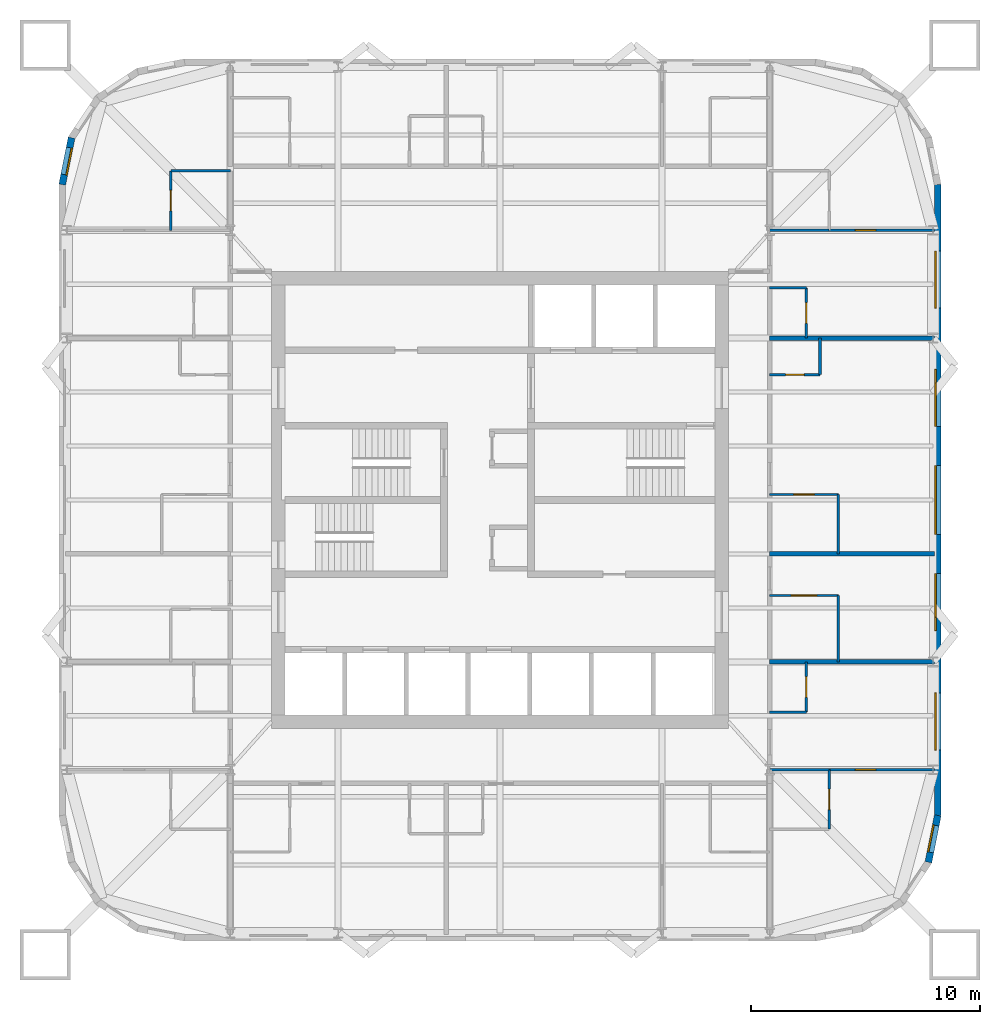
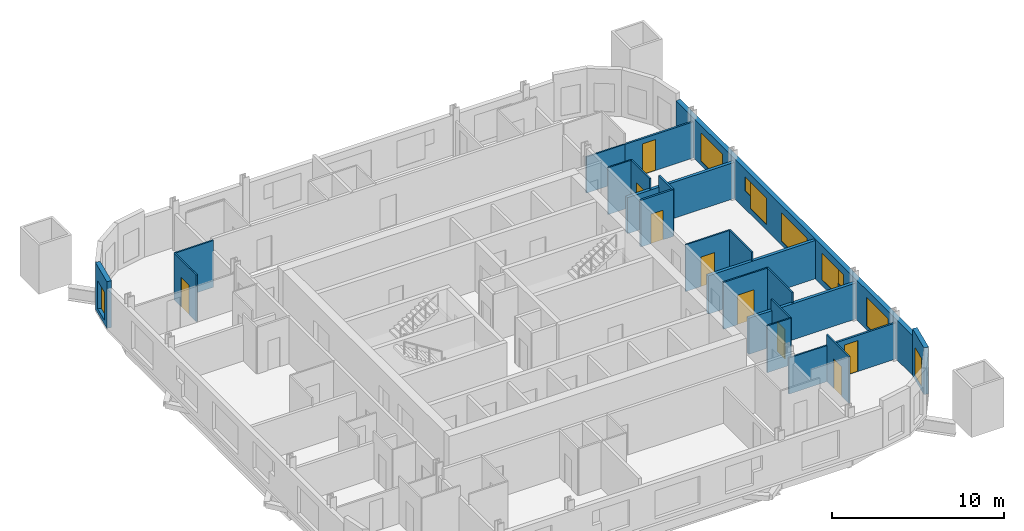
# One storey, part 6 of 9: 23 walls, 9 doors, 9 windows, 18 openings.
"""IFC4 building model written with IfcOpenShell, lengths in metres."""

from ifc_helpers import new_model, si_unit, direction, frame, frame_2d, origin, place, context, subcontext, project, spatial, rectangle, extrude, material, layer, layer_set, type_object, element, fill, save


model = new_model("IFC4")

# Units and contexts
model_context = context("Model", 3, precision=1e-05, world=origin(), true_north=direction((0.0, 1.0)))
body_context = subcontext(model_context, "Body", "Model", "MODEL_VIEW")
ifc_project = project(units=[si_unit("LENGTHUNIT", "METRE"), si_unit("AREAUNIT", "SQUARE_METRE"), si_unit("VOLUMEUNIT", "CUBIC_METRE"), si_unit("PLANEANGLEUNIT", "RADIAN"), si_unit("MASSUNIT", "GRAM", prefix="KILO")], contexts=[model_context])

# Site, building, storey
site_placement = place(None, origin())
site = spatial("IfcSite", under=ifc_project, at=site_placement, CompositionType="ELEMENT")
building_placement = place(site_placement, origin())
building = spatial("IfcBuilding", under=site, at=building_placement, Name="Turquesa Mirador Hotel Tower", CompositionType="ELEMENT")
storey_placement = place(building_placement, frame((0.0, 0.0, 200.300048828125)))
storey = spatial("IfcBuildingStorey", under=building, at=storey_placement, Name="L54", CompositionType="ELEMENT", Elevation=200.300048828125)

# Wall
ifc_material_1 = material(Name="Gypsum board on steel studs", Category="steel")
ifc_layer_1 = layer(ifc_material_1, 0.10009765625)
ifc_layer_set_1 = layer_set([ifc_layer_1], Name="BATHROOM WALL 100")
wall_type_1 = type_object("IfcWallType", Name="BATHROOM WALL 100", PredefinedType="PARTITIONING", material=ifc_layer_set_1)
wall_1_placement = place(storey_placement, frame((66.800048828125, 33.199951171875, 0.0), z_axis=(0.0, 0.0, 1.0), x_axis=(1.0, 0.0, 0.0)))
element("IfcWall", 1, at=wall_1_placement, inside=storey, type_object=wall_type_1, Name="Partition L54 002", PredefinedType="PARTITIONING", context=body_context, shape_type="SweptSolid", body=[
    extrude(rectangle(XDim=2.599853515625, YDim=0.10009765625, at=frame_2d((1.2998046875, 0.0))), origin(), (0.0, 0.0, 1.0), 2.572998046875),
])

# Wall, opening, door
wall_2_placement = place(storey_placement, frame((66.800048828125, 40.820068359375, 0.0), z_axis=(0.0, 0.0, 1.0), x_axis=(1.0, 0.0, 0.0)))
wall_2 = element("IfcWall", 2, at=wall_2_placement, inside=storey, type_object=wall_type_1, Name="Partition L54 014", PredefinedType="PARTITIONING", context=body_context, shape_type="SweptSolid", body=[
    extrude(rectangle(XDim=3.0, YDim=0.10009765625, at=frame_2d((1.5, 0.0))), origin(), (0.0, 0.0, 1.0), 3.329833984375),
])
opening_1_placement = place(wall_2_placement, frame((0.949951171875, 0.0, 0.0)))
opening_1 = element("IfcOpeningElement", 3, at=opening_1_placement, cuts=wall_2, Name="Opening D16", PredefinedType="OPENING", context=body_context, shape_type="SweptSolid", body=[
    extrude(rectangle(XDim=1.10009765625, YDim=2.10009765625, at=frame_2d((0.550048828125, 1.050048828125))), frame((0.0, 0.06005859375, 0.0), z_axis=(0.0, -1.0, 0.0), x_axis=(1.0, 0.0, 0.0)), (0.0, 0.0, 1.0), 0.1201171875),
])
ifc_material_2 = material(Name="Timber veneered sliding door", Category="wood")
door_type_1 = type_object("IfcDoorType", Name="DOOR 1100X2100 ACCESSIBLE EN-SUITE", OperationType="SLIDING_TO_LEFT", PredefinedType="DOOR", material=ifc_material_2)
door_1_placement = place(opening_1_placement, origin())
door_1 = element("IfcDoor", 4, at=door_1_placement, inside=storey, type_object=door_type_1, Name="Door 5405B", OperationType="SLIDING_TO_LEFT", OverallHeight=2.10009765625, OverallWidth=1.10009765625, PredefinedType="DOOR", context=body_context, shape_type="SweptSolid", body=[
    extrude(rectangle(XDim=1.10009765625, YDim=2.10009765625, at=frame_2d((0.550048828125, 1.050048828125))), frame((0.0, 0.02490234375, 0.0), z_axis=(0.0, -1.0, 0.0), x_axis=(1.0, 0.0, 0.0)), (0.0, 0.0, 1.0), 0.050048828125),
])
fill(opening_1, door_1)

# Wall
wall_3_placement = place(storey_placement, frame((66.800048828125, 35.719970703125, 0.0), z_axis=(0.0, 0.0, 1.0), x_axis=(1.0, 0.0, 0.0)))
element("IfcWall", 5, at=wall_3_placement, inside=storey, type_object=wall_type_1, Name="Partition L54 019", PredefinedType="PARTITIONING", context=body_context, shape_type="SweptSolid", body=[
    extrude(rectangle(XDim=1.599853515625, YDim=0.10009765625, at=frame_2d((0.7998046875, 0.0))), origin(), (0.0, 0.0, 1.0), 3.329833984375),
])

# Wall, opening, door
wall_4_placement = place(storey_placement, frame((66.800048828125, 45.239990234375, 0.0), z_axis=(0.0, 0.0, 1.0), x_axis=(1.0, 0.0, 0.0)))
wall_4 = element("IfcWall", 6, at=wall_4_placement, inside=storey, type_object=wall_type_1, Name="Partition L54 021", PredefinedType="PARTITIONING", context=body_context, shape_type="SweptSolid", body=[
    extrude(rectangle(XDim=3.0, YDim=0.10009765625, at=frame_2d((1.5, 0.0))), origin(), (0.0, 0.0, 1.0), 3.329833984375),
])
opening_2_placement = place(wall_4_placement, frame((1.050048828125, 0.0, 0.0)))
opening_2 = element("IfcOpeningElement", 7, at=opening_2_placement, cuts=wall_4, Name="Opening D02", PredefinedType="OPENING", context=body_context, shape_type="SweptSolid", body=[
    extrude(rectangle(XDim=0.89990234375, YDim=2.10009765625, at=frame_2d((0.449951171875, 1.050048828125))), frame((0.0, 0.06005859375, 0.0), z_axis=(0.0, -1.0, 0.0), x_axis=(1.0, 0.0, 0.0)), (0.0, 0.0, 1.0), 0.1201171875),
])
ifc_material_3 = material(Name="Timber veneered door", Category="wood")
door_type_2 = type_object("IfcDoorType", Name="DOOR 900X2100 EN-SUITE", OperationType="SINGLE_SWING_RIGHT", PredefinedType="DOOR", material=ifc_material_3)
door_2_placement = place(opening_2_placement, origin())
door_2 = element("IfcDoor", 8, at=door_2_placement, inside=storey, type_object=door_type_2, Name="Door 5406B", OperationType="SINGLE_SWING_RIGHT", OverallHeight=2.10009765625, OverallWidth=0.89990234375, PredefinedType="DOOR", context=body_context, shape_type="SweptSolid", body=[
    extrude(rectangle(XDim=0.89990234375, YDim=2.10009765625, at=frame_2d((0.449951171875, 1.050048828125))), frame((0.0, 0.02490234375, 0.0), z_axis=(0.0, -1.0, 0.0), x_axis=(1.0, 0.0, 0.0)), (0.0, 0.0, 1.0), 0.050048828125),
])
fill(opening_2, door_2)

# Walls
wall_5_placement = place(storey_placement, frame((66.800048828125, 56.800048828125, 0.0), z_axis=(0.0, 0.0, 1.0), x_axis=(1.0, 0.0, 0.0)))
element("IfcWall", 9, at=wall_5_placement, inside=storey, type_object=wall_type_1, Name="Partition L54 025", PredefinedType="PARTITIONING", context=body_context, shape_type="SweptSolid", body=[
    extrude(rectangle(XDim=2.599853515625, YDim=0.10009765625, at=frame_2d((1.2998046875, 0.0))), origin(), (0.0, 0.0, 1.0), 2.572998046875),
])
wall_6_placement = place(storey_placement, frame((40.60009765625, 59.39990234375, 0.0), z_axis=(0.0, 0.0, 1.0), x_axis=(1.0, 0.0, 0.0)))
element("IfcWall", 10, at=wall_6_placement, inside=storey, type_object=wall_type_1, Name="Partition L54 028", PredefinedType="PARTITIONING", context=body_context, shape_type="SweptSolid", body=[
    extrude(rectangle(XDim=2.599853515625, YDim=0.10009765625, at=frame_2d((1.2998046875, 0.0))), origin(), (0.0, 0.0, 1.0), 3.329833984375),
])
wall_7_placement = place(storey_placement, frame((66.800048828125, 54.280029296875, 0.0), z_axis=(0.0, 0.0, 1.0), x_axis=(1.0, 0.0, 0.0)))
element("IfcWall", 11, at=wall_7_placement, inside=storey, type_object=wall_type_1, Name="Partition L54 040", PredefinedType="PARTITIONING", context=body_context, shape_type="SweptSolid", body=[
    extrude(rectangle(XDim=1.599853515625, YDim=0.10009765625, at=frame_2d((0.7998046875, 0.0))), origin(), (0.0, 0.0, 1.0), 3.329833984375),
])

# Wall, opening, door
wall_8_placement = place(storey_placement, frame((40.60009765625, 56.800048828125, 0.0), z_axis=(0.0, 0.0, 1.0), x_axis=(0.0, 1.0, 0.0)))
wall_8 = element("IfcWall", 12, at=wall_8_placement, inside=storey, type_object=wall_type_1, Name="Partition L54 051", PredefinedType="PARTITIONING", context=body_context, shape_type="SweptSolid", body=[
    extrude(rectangle(XDim=2.599853515625, YDim=0.10009765625, at=frame_2d((1.2998046875, 0.0))), origin(), (0.0, 0.0, 1.0), 3.329833984375),
])
opening_3_placement = place(wall_8_placement, frame((0.85009765625, 0.0, 0.0)))
opening_3 = element("IfcOpeningElement", 13, at=opening_3_placement, cuts=wall_8, Name="Opening D02", PredefinedType="OPENING", context=body_context, shape_type="SweptSolid", body=[
    extrude(rectangle(XDim=0.89990234375, YDim=2.10009765625, at=frame_2d((0.449951171875, 1.050048828125))), frame((0.0, 0.06005859375, 0.0), z_axis=(0.0, -1.0, 0.0), x_axis=(1.0, 0.0, 0.0)), (0.0, 0.0, 1.0), 0.1201171875),
])
door_3_placement = place(opening_3_placement, origin())
door_3 = element("IfcDoor", 14, at=door_3_placement, inside=storey, type_object=door_type_2, Name="Door 5410B", OperationType="SINGLE_SWING_RIGHT", OverallHeight=2.10009765625, OverallWidth=0.89990234375, PredefinedType="DOOR", context=body_context, shape_type="SweptSolid", body=[
    extrude(rectangle(XDim=0.89990234375, YDim=2.10009765625, at=frame_2d((0.449951171875, 1.050048828125))), frame((0.0, 0.02490234375, 0.0), z_axis=(0.0, -1.0, 0.0), x_axis=(1.0, 0.0, 0.0)), (0.0, 0.0, 1.0), 0.050048828125),
])
fill(opening_3, door_3)

wall_9_placement = place(storey_placement, frame((68.39990234375, 35.719970703125, 0.0), z_axis=(0.0, 0.0, 1.0), x_axis=(0.0, 1.0, 0.0)))
wall_9 = element("IfcWall", 15, at=wall_9_placement, inside=storey, type_object=wall_type_1, Name="Partition L54 062", PredefinedType="PARTITIONING", context=body_context, shape_type="SweptSolid", body=[
    extrude(rectangle(XDim=2.199951171875, YDim=0.10009765625, at=frame_2d((1.10009765625, 0.0))), origin(), (0.0, 0.0, 1.0), 3.329833984375),
])
opening_4_placement = place(wall_9_placement, frame((0.64990234375, 0.0, 0.0)))
opening_4 = element("IfcOpeningElement", 16, at=opening_4_placement, cuts=wall_9, Name="Opening D06", PredefinedType="OPENING", context=body_context, shape_type="SweptSolid", body=[
    extrude(rectangle(XDim=0.89990234375, YDim=2.10009765625, at=frame_2d((0.449951171875, 1.050048828125))), frame((0.0, 0.06005859375, 0.0), z_axis=(0.0, -1.0, 0.0), x_axis=(1.0, 0.0, 0.0)), (0.0, 0.0, 1.0), 0.1201171875),
])
ifc_material_4 = material(Name="Laminate door", Category="wood")
door_type_3 = type_object("IfcDoorType", Name="DOOR 900X2100 WC", OperationType="SINGLE_SWING_LEFT", PredefinedType="DOOR", material=ifc_material_4)
door_4_placement = place(opening_4_placement, origin())
door_4 = element("IfcDoor", 17, at=door_4_placement, inside=storey, type_object=door_type_3, Name="Door 5412W", OperationType="SINGLE_SWING_LEFT", OverallHeight=2.10009765625, OverallWidth=0.89990234375, PredefinedType="DOOR", context=body_context, shape_type="SweptSolid", body=[
    extrude(rectangle(XDim=0.89990234375, YDim=2.10009765625, at=frame_2d((0.449951171875, 1.050048828125))), frame((0.0, 0.02490234375, 0.0), z_axis=(0.0, -1.0, 0.0), x_axis=(1.0, 0.0, 0.0)), (0.0, 0.0, 1.0), 0.050048828125),
])
fill(opening_4, door_4)

wall_10_placement = place(storey_placement, frame((68.39990234375, 52.080078125, 0.0), z_axis=(0.0, 0.0, 1.0), x_axis=(0.0, 1.0, 0.0)))
wall_10 = element("IfcWall", 18, at=wall_10_placement, inside=storey, type_object=wall_type_1, Name="Partition L54 063", PredefinedType="PARTITIONING", context=body_context, shape_type="SweptSolid", body=[
    extrude(rectangle(XDim=2.199951171875, YDim=0.10009765625, at=frame_2d((1.10009765625, 0.0))), origin(), (0.0, 0.0, 1.0), 3.329833984375),
])
opening_5_placement = place(wall_10_placement, frame((0.64990234375, 0.0, 0.0)))
opening_5 = element("IfcOpeningElement", 19, at=opening_5_placement, cuts=wall_10, Name="Opening D06", PredefinedType="OPENING", context=body_context, shape_type="SweptSolid", body=[
    extrude(rectangle(XDim=0.89990234375, YDim=2.10009765625, at=frame_2d((0.449951171875, 1.050048828125))), frame((0.0, 0.06005859375, 0.0), z_axis=(0.0, -1.0, 0.0), x_axis=(1.0, 0.0, 0.0)), (0.0, 0.0, 1.0), 0.1201171875),
])
door_5_placement = place(opening_5_placement, origin())
door_5 = element("IfcDoor", 20, at=door_5_placement, inside=storey, type_object=door_type_3, Name="Door 5409W", OperationType="SINGLE_SWING_LEFT", OverallHeight=2.10009765625, OverallWidth=0.89990234375, PredefinedType="DOOR", context=body_context, shape_type="SweptSolid", body=[
    extrude(rectangle(XDim=0.89990234375, YDim=2.10009765625, at=frame_2d((0.449951171875, 1.050048828125))), frame((0.0, 0.02490234375, 0.0), z_axis=(0.0, -1.0, 0.0), x_axis=(1.0, 0.0, 0.0)), (0.0, 0.0, 1.0), 0.050048828125),
])
fill(opening_5, door_5)

wall_11_placement = place(storey_placement, frame((69.39990234375, 30.60009765625, 0.0), z_axis=(0.0, 0.0, 1.0), x_axis=(0.0, 1.0, 0.0)))
wall_11 = element("IfcWall", 21, at=wall_11_placement, inside=storey, type_object=wall_type_1, Name="Partition L54 065", PredefinedType="PARTITIONING", context=body_context, shape_type="SweptSolid", body=[
    extrude(rectangle(XDim=2.599853515625, YDim=0.10009765625, at=frame_2d((1.2998046875, 0.0))), origin(), (0.0, 0.0, 1.0), 3.329833984375),
])
opening_6_placement = place(wall_11_placement, frame((0.85009765625, 0.0, 0.0)))
opening_6 = element("IfcOpeningElement", 22, at=opening_6_placement, cuts=wall_11, Name="Opening D02", PredefinedType="OPENING", context=body_context, shape_type="SweptSolid", body=[
    extrude(rectangle(XDim=0.89990234375, YDim=2.10009765625, at=frame_2d((0.449951171875, 1.050048828125))), frame((0.0, 0.06005859375, 0.0), z_axis=(0.0, -1.0, 0.0), x_axis=(1.0, 0.0, 0.0)), (0.0, 0.0, 1.0), 0.1201171875),
])
door_6_placement = place(opening_6_placement, origin())
door_6 = element("IfcDoor", 23, at=door_6_placement, inside=storey, type_object=door_type_2, Name="Door 5412B", OperationType="SINGLE_SWING_RIGHT", OverallHeight=2.10009765625, OverallWidth=0.89990234375, PredefinedType="DOOR", context=body_context, shape_type="SweptSolid", body=[
    extrude(rectangle(XDim=0.89990234375, YDim=2.10009765625, at=frame_2d((0.449951171875, 1.050048828125))), frame((0.0, 0.02490234375, 0.0), z_axis=(0.0, -1.0, 0.0), x_axis=(1.0, 0.0, 0.0)), (0.0, 0.0, 1.0), 0.050048828125),
])
fill(opening_6, door_6)

# Walls
wall_12_placement = place(storey_placement, frame((69.800048828125, 37.919921875, 0.0), z_axis=(0.0, 0.0, 1.0), x_axis=(0.0, 1.0, 0.0)))
element("IfcWall", 24, at=wall_12_placement, inside=storey, type_object=wall_type_1, Name="Partition L54 067", PredefinedType="PARTITIONING", context=body_context, shape_type="SweptSolid", body=[
    extrude(rectangle(XDim=2.900146484375, YDim=0.10009765625, at=frame_2d((1.4501953125, 0.0))), origin(), (0.0, 0.0, 1.0), 3.329833984375),
])
wall_13_placement = place(storey_placement, frame((69.800048828125, 42.639892578125, 0.0), z_axis=(0.0, 0.0, 1.0), x_axis=(0.0, 1.0, 0.0)))
element("IfcWall", 25, at=wall_13_placement, inside=storey, type_object=wall_type_1, Name="Partition L54 068", PredefinedType="PARTITIONING", context=body_context, shape_type="SweptSolid", body=[
    extrude(rectangle(XDim=2.60009765625, YDim=0.10009765625, at=frame_2d((1.300048828125, 0.0))), origin(), (0.0, 0.0, 1.0), 3.329833984375),
])

# Wall, opening, window
ifc_material_5 = material(Name="Limestone cladding on concrete block", Category="masonry")
ifc_layer_2 = layer(ifc_material_5, 0.300048828125)
ifc_layer_set_2 = layer_set([ifc_layer_2], Name="FACADE WALL 300 STONE SCREEN")
wall_type_2 = type_object("IfcWallType", Name="FACADE WALL 300 STONE SCREEN", PredefinedType="SOLIDWALL", material=ifc_layer_set_2)
wall_14_placement = place(storey_placement, frame((73.74267578125, 29.152587890625, 0.0), z_axis=(0.0, 0.0, 1.0), x_axis=(0.195081421501, 0.980787050784, 0.0)))
wall_14 = element("IfcWall", 26, at=wall_14_placement, inside=storey, type_object=wall_type_2, Name="Facade wall L54 03", PredefinedType="SOLIDWALL", context=body_context, shape_type="SweptSolid", body=[
    extrude(rectangle(XDim=2.08740234375, YDim=0.300048828125, at=frame_2d((1.043701171875, 0.0))), origin(), (0.0, 0.0, 1.0), 3.329833984375),
])
opening_7_placement = place(wall_14_placement, frame((0.443603515625, 0.0, 0.300048828125)))
opening_7 = element("IfcOpeningElement", 27, at=opening_7_placement, cuts=wall_14, Name="Opening WN4", PredefinedType="OPENING", context=body_context, shape_type="SweptSolid", body=[
    extrude(rectangle(XDim=1.199951171875, YDim=2.0, at=frame_2d((0.60009765625, 1.0))), frame((0.0, 0.159912109375, 0.0), z_axis=(0.0, -1.0, 0.0), x_axis=(1.0, 0.0, 0.0)), (0.0, 0.0, 1.0), 0.320068359375),
])
ifc_material_6 = material(Name="Ceramic-fritted laminated glass", Category="glass")
window_type_1 = type_object("IfcWindowType", Name="FRITTED CORNER WINDOW 1200X2000", PartitioningType="DOUBLE_PANEL_HORIZONTAL", PredefinedType="WINDOW", material=ifc_material_6)
window_1_placement = place(opening_7_placement, origin())
window_1 = element("IfcWindow", 28, at=window_1_placement, inside=storey, type_object=window_type_1, Name="Window L54", OverallHeight=2.0, OverallWidth=1.199951171875, PartitioningType="SINGLE_PANEL", PredefinedType="WINDOW", context=body_context, shape_type="SweptSolid", body=[
    extrude(rectangle(XDim=1.199951171875, YDim=2.0, at=frame_2d((0.60009765625, 1.0))), frame((0.0, 0.130126953125, 0.0), z_axis=(0.0, -1.0, 0.0), x_axis=(1.0, 0.0, 0.0)), (0.0, 0.0, 1.0), 0.06005859375),
])
fill(opening_7, window_1)

# Wall, openings, windows
wall_15_placement = place(storey_placement, frame((74.14990234375, 31.199951171875, 0.0), z_axis=(0.0, 0.0, 1.0), x_axis=(0.0, 1.0, 0.0)))
wall_15 = element("IfcWall", 29, at=wall_15_placement, inside=storey, type_object=wall_type_2, Name="Facade wall L54 04", PredefinedType="SOLIDWALL", context=body_context, shape_type="SweptSolid", body=[
    extrude(rectangle(XDim=27.60009765625, YDim=0.300048828125, at=frame_2d((13.800048828125, 0.0))), origin(), (0.0, 0.0, 1.0), 2.829833984375),
])
opening_8_placement = place(wall_15_placement, frame((2.860107421875, 0.0, 0.300048828125)))
opening_8 = element("IfcOpeningElement", 30, at=opening_8_placement, cuts=wall_15, Name="Opening WN52", PredefinedType="OPENING", context=body_context, shape_type="SweptSolid", body=[
    extrude(rectangle(XDim=2.5, YDim=2.0, at=frame_2d((1.25, 1.0))), frame((0.0, 0.159912109375, 0.0), z_axis=(0.0, -1.0, 0.0), x_axis=(1.0, 0.0, 0.0)), (0.0, 0.0, 1.0), 0.320068359375),
])
opening_9_placement = place(wall_15_placement, frame((8.679931640625, 0.0, 0.39990234375)))
opening_9 = element("IfcOpeningElement", 31, at=opening_9_placement, cuts=wall_15, Name="Opening WN48", PredefinedType="OPENING", context=body_context, shape_type="SweptSolid", body=[
    extrude(rectangle(XDim=1.89990234375, YDim=1.89990234375, at=frame_2d((0.949951171875, 0.949951171875))), frame((0.0, 0.159912109375, 0.0), z_axis=(0.0, -1.0, 0.0), x_axis=(1.0, 0.0, 0.0)), (0.0, 0.0, 1.0), 0.320068359375),
])
opening_10_placement = place(wall_15_placement, frame((12.300048828125, 0.0, 0.300048828125)))
opening_10 = element("IfcOpeningElement", 32, at=opening_10_placement, cuts=wall_15, Name="Opening WN1", PredefinedType="OPENING", context=body_context, shape_type="SweptSolid", body=[
    extrude(rectangle(XDim=3.0, YDim=2.0, at=frame_2d((1.5, 1.0))), frame((0.0, 0.159912109375, 0.0), z_axis=(0.0, -1.0, 0.0), x_axis=(1.0, 0.0, 0.0)), (0.0, 0.0, 1.0), 0.320068359375),
])
opening_11_placement = place(wall_15_placement, frame((17.02001953125, 0.0, 0.39990234375)))
opening_11 = element("IfcOpeningElement", 33, at=opening_11_placement, cuts=wall_15, Name="Opening WN48", PredefinedType="OPENING", context=body_context, shape_type="SweptSolid", body=[
    extrude(rectangle(XDim=1.89990234375, YDim=1.89990234375, at=frame_2d((0.949951171875, 0.949951171875))), frame((0.0, 0.159912109375, 0.0), z_axis=(0.0, -1.0, 0.0), x_axis=(1.0, 0.0, 0.0)), (0.0, 0.0, 1.0), 0.320068359375),
])
opening_12_placement = place(wall_15_placement, frame((22.18994140625, 0.0, 0.300048828125)))
opening_12 = element("IfcOpeningElement", 34, at=opening_12_placement, cuts=wall_15, Name="Opening WN52", PredefinedType="OPENING", context=body_context, shape_type="SweptSolid", body=[
    extrude(rectangle(XDim=2.5, YDim=2.0, at=frame_2d((1.25, 1.0))), frame((0.0, 0.159912109375, 0.0), z_axis=(0.0, -1.0, 0.0), x_axis=(1.0, 0.0, 0.0)), (0.0, 0.0, 1.0), 0.320068359375),
])
opening_13_placement = place(wall_15_placement, frame((8.080078125, 0.0, 1.300048828125)))
opening_13 = element("IfcOpeningElement", 35, at=opening_13_placement, cuts=wall_15, Name="Opening WN29", PredefinedType="OPENING", context=body_context, shape_type="SweptSolid", body=[
    extrude(rectangle(XDim=0.60009765625, YDim=1.0, at=frame_2d((0.300048828125, 0.5))), frame((0.0, 0.159912109375, 0.0), z_axis=(0.0, -1.0, 0.0), x_axis=(1.0, 0.0, 0.0)), (0.0, 0.0, 1.0), 0.320068359375),
])
opening_14_placement = place(wall_15_placement, frame((18.919921875, 0.0, 1.300048828125)))
opening_14 = element("IfcOpeningElement", 36, at=opening_14_placement, cuts=wall_15, Name="Opening WN29", PredefinedType="OPENING", context=body_context, shape_type="SweptSolid", body=[
    extrude(rectangle(XDim=0.60009765625, YDim=1.0, at=frame_2d((0.300048828125, 0.5))), frame((0.0, 0.159912109375, 0.0), z_axis=(0.0, -1.0, 0.0), x_axis=(1.0, 0.0, 0.0)), (0.0, 0.0, 1.0), 0.320068359375),
])
ifc_material_7 = material(Name="Ceramic-fritted laminated glass", Category="glass")
window_type_2 = type_object("IfcWindowType", Name="FRITTED WINDOW 1900X1900", PartitioningType="DOUBLE_PANEL_HORIZONTAL", PredefinedType="WINDOW", material=ifc_material_7)
window_2_placement = place(opening_9_placement, origin())
window_2 = element("IfcWindow", 37, at=window_2_placement, inside=storey, type_object=window_type_2, Name="Window L54", OverallHeight=1.89990234375, OverallWidth=1.89990234375, PartitioningType="SINGLE_PANEL", PredefinedType="WINDOW", context=body_context, shape_type="SweptSolid", body=[
    extrude(rectangle(XDim=1.89990234375, YDim=1.89990234375, at=frame_2d((0.949951171875, 0.949951171875))), frame((0.0, 0.130126953125, 0.0), z_axis=(0.0, -1.0, 0.0), x_axis=(1.0, 0.0, 0.0)), (0.0, 0.0, 1.0), 0.06005859375),
])
fill(opening_9, window_2)
window_3_placement = place(opening_11_placement, origin())
window_3 = element("IfcWindow", 38, at=window_3_placement, inside=storey, type_object=window_type_2, Name="Window L54", OverallHeight=1.89990234375, OverallWidth=1.89990234375, PartitioningType="SINGLE_PANEL", PredefinedType="WINDOW", context=body_context, shape_type="SweptSolid", body=[
    extrude(rectangle(XDim=1.89990234375, YDim=1.89990234375, at=frame_2d((0.949951171875, 0.949951171875))), frame((0.0, 0.130126953125, 0.0), z_axis=(0.0, -1.0, 0.0), x_axis=(1.0, 0.0, 0.0)), (0.0, 0.0, 1.0), 0.06005859375),
])
fill(opening_11, window_3)
ifc_material_8 = material(Name="Ceramic-fritted laminated glass", Category="glass")
window_type_3 = type_object("IfcWindowType", Name="FRITTED WINDOW 2500X2000", PartitioningType="DOUBLE_PANEL_HORIZONTAL", PredefinedType="WINDOW", material=ifc_material_8)
window_4_placement = place(opening_8_placement, origin())
window_4 = element("IfcWindow", 39, at=window_4_placement, inside=storey, type_object=window_type_3, Name="Window L54", OverallHeight=2.0, OverallWidth=2.5, PartitioningType="SINGLE_PANEL", PredefinedType="WINDOW", context=body_context, shape_type="SweptSolid", body=[
    extrude(rectangle(XDim=2.5, YDim=2.0, at=frame_2d((1.25, 1.0))), frame((0.0, 0.130126953125, 0.0), z_axis=(0.0, -1.0, 0.0), x_axis=(1.0, 0.0, 0.0)), (0.0, 0.0, 1.0), 0.06005859375),
])
fill(opening_8, window_4)
window_5_placement = place(opening_12_placement, origin())
window_5 = element("IfcWindow", 40, at=window_5_placement, inside=storey, type_object=window_type_3, Name="Window L54", OverallHeight=2.0, OverallWidth=2.5, PartitioningType="SINGLE_PANEL", PredefinedType="WINDOW", context=body_context, shape_type="SweptSolid", body=[
    extrude(rectangle(XDim=2.5, YDim=2.0, at=frame_2d((1.25, 1.0))), frame((0.0, 0.130126953125, 0.0), z_axis=(0.0, -1.0, 0.0), x_axis=(1.0, 0.0, 0.0)), (0.0, 0.0, 1.0), 0.06005859375),
])
fill(opening_12, window_5)
ifc_material_9 = material(Name="Ceramic-fritted laminated glass", Category="glass")
window_type_4 = type_object("IfcWindowType", Name="FRITTED WINDOW 3000X2000", PartitioningType="DOUBLE_PANEL_HORIZONTAL", PredefinedType="WINDOW", material=ifc_material_9)
window_6_placement = place(opening_10_placement, origin())
window_6 = element("IfcWindow", 41, at=window_6_placement, inside=storey, type_object=window_type_4, Name="Window L54", OverallHeight=2.0, OverallWidth=3.0, PartitioningType="SINGLE_PANEL", PredefinedType="WINDOW", context=body_context, shape_type="SweptSolid", body=[
    extrude(rectangle(XDim=3.0, YDim=2.0, at=frame_2d((1.5, 1.0))), frame((0.0, 0.130126953125, 0.0), z_axis=(0.0, -1.0, 0.0), x_axis=(1.0, 0.0, 0.0)), (0.0, 0.0, 1.0), 0.06005859375),
])
fill(opening_10, window_6)
ifc_material_10 = material(Name="Ceramic-fritted laminated glass", Category="glass")
window_type_5 = type_object("IfcWindowType", Name="FRITTED WINDOW 600X1000", PartitioningType="DOUBLE_PANEL_HORIZONTAL", PredefinedType="WINDOW", material=ifc_material_10)
window_7_placement = place(opening_13_placement, origin())
window_7 = element("IfcWindow", 42, at=window_7_placement, inside=storey, type_object=window_type_5, Name="Window L54", OverallHeight=1.0, OverallWidth=0.60009765625, PartitioningType="SINGLE_PANEL", PredefinedType="WINDOW", context=body_context, shape_type="SweptSolid", body=[
    extrude(rectangle(XDim=0.60009765625, YDim=1.0, at=frame_2d((0.300048828125, 0.5))), frame((0.0, 0.130126953125, 0.0), z_axis=(0.0, -1.0, 0.0), x_axis=(1.0, 0.0, 0.0)), (0.0, 0.0, 1.0), 0.06005859375),
])
fill(opening_13, window_7)
window_8_placement = place(opening_14_placement, origin())
window_8 = element("IfcWindow", 43, at=window_8_placement, inside=storey, type_object=window_type_5, Name="Window L54", OverallHeight=1.0, OverallWidth=0.60009765625, PartitioningType="SINGLE_PANEL", PredefinedType="WINDOW", context=body_context, shape_type="SweptSolid", body=[
    extrude(rectangle(XDim=0.60009765625, YDim=1.0, at=frame_2d((0.300048828125, 0.5))), frame((0.0, 0.130126953125, 0.0), z_axis=(0.0, -1.0, 0.0), x_axis=(1.0, 0.0, 0.0)), (0.0, 0.0, 1.0), 0.06005859375),
])
fill(opening_14, window_8)

# Wall, opening, window
wall_16_placement = place(storey_placement, frame((36.25732421875, 60.847412109375, 0.0), z_axis=(0.0, 0.0, 1.0), x_axis=(-0.195081421501, -0.980787050784, 0.0)))
wall_16 = element("IfcWall", 44, at=wall_16_placement, inside=storey, type_object=wall_type_2, Name="Facade wall L54 13", PredefinedType="SOLIDWALL", context=body_context, shape_type="SweptSolid", body=[
    extrude(rectangle(XDim=2.08740234375, YDim=0.300048828125, at=frame_2d((1.043701171875, 0.0))), origin(), (0.0, 0.0, 1.0), 3.329833984375),
])
opening_15_placement = place(wall_16_placement, frame((0.443603515625, 0.0, 0.300048828125)))
opening_15 = element("IfcOpeningElement", 45, at=opening_15_placement, cuts=wall_16, Name="Opening WN4", PredefinedType="OPENING", context=body_context, shape_type="SweptSolid", body=[
    extrude(rectangle(XDim=1.199951171875, YDim=2.0, at=frame_2d((0.60009765625, 1.0))), frame((0.0, 0.159912109375, 0.0), z_axis=(0.0, -1.0, 0.0), x_axis=(1.0, 0.0, 0.0)), (0.0, 0.0, 1.0), 0.320068359375),
])
window_9_placement = place(opening_15_placement, origin())
window_9 = element("IfcWindow", 46, at=window_9_placement, inside=storey, type_object=window_type_1, Name="Window L54", OverallHeight=2.0, OverallWidth=1.199951171875, PartitioningType="SINGLE_PANEL", PredefinedType="WINDOW", context=body_context, shape_type="SweptSolid", body=[
    extrude(rectangle(XDim=1.199951171875, YDim=2.0, at=frame_2d((0.60009765625, 1.0))), frame((0.0, 0.130126953125, 0.0), z_axis=(0.0, -1.0, 0.0), x_axis=(1.0, 0.0, 0.0)), (0.0, 0.0, 1.0), 0.06005859375),
])
fill(opening_15, window_9)

# Walls
ifc_material_11 = material(Name="Fire-rated gypsum board on steel studs", Category="steel")
ifc_layer_3 = layer(ifc_material_11, 0.199951171875)
ifc_layer_set_3 = layer_set([ifc_layer_3], Name="PARTY WALL 200")
wall_type_3 = type_object("IfcWallType", Name="PARTY WALL 200", PredefinedType="PARTITIONING", material=ifc_layer_set_3)
wall_17_placement = place(storey_placement, frame((66.800048828125, 42.639892578125, 0.0), z_axis=(0.0, 0.0, 1.0), x_axis=(1.0, 0.0, 0.0)))
element("IfcWall", 47, at=wall_17_placement, inside=storey, type_object=wall_type_3, Name="Partition L54 013", PredefinedType="PARTITIONING", context=body_context, shape_type="SweptSolid", body=[
    extrude(rectangle(XDim=7.199951171875, YDim=0.199951171875, at=frame_2d((3.60009765625, 0.0))), origin(), (0.0, 0.0, 1.0), 2.73046875),
])
for number, where, z_axis, x_axis, name in (
    (48, (66.800048828125, 37.919921875, 0.0), (0.0, 0.0, 1.0), (1.0, 0.0, 0.0), "Partition L54 017"),
    (49, (66.800048828125, 52.080078125, 0.0), (0.0, 0.0, 1.0), (1.0, 0.0, 0.0), "Partition L54 038"),
):
    element("IfcWall", number, at=place(storey_placement, frame(where, z_axis=z_axis, x_axis=x_axis)), inside=storey, type_object=wall_type_3, Name=name, PredefinedType="PARTITIONING", context=body_context, shape_type="SweptSolid", body=[
        extrude(rectangle(XDim=7.199951171875, YDim=0.199951171875, at=frame_2d((3.60009765625, 0.0))), origin(), (0.0, 0.0, 1.0), 2.572998046875),
    ])

# Wall, opening, door
ifc_material_12 = material(Name="Acoustic gypsum board on steel studs", Category="steel")
ifc_layer_4 = layer(ifc_material_12, 0.125)
ifc_layer_set_4 = layer_set([ifc_layer_4], Name="SUITE PARTITION 125")
wall_type_4 = type_object("IfcWallType", Name="SUITE PARTITION 125", PredefinedType="PARTITIONING", material=ifc_layer_set_4)
wall_18_placement = place(storey_placement, frame((69.39990234375, 33.199951171875, 0.0), z_axis=(0.0, 0.0, 1.0), x_axis=(1.0, 0.0, 0.0)))
wall_18 = element("IfcWall", 50, at=wall_18_placement, inside=storey, type_object=wall_type_4, Name="Partition L54 004", PredefinedType="PARTITIONING", context=body_context, shape_type="SweptSolid", body=[
    extrude(rectangle(XDim=4.60009765625, YDim=0.125, at=frame_2d((2.300048828125, 0.0))), origin(), (0.0, 0.0, 1.0), 2.572998046875),
])
opening_16_placement = place(wall_18_placement, frame((1.14990234375, 0.0, 0.0)))
opening_16 = element("IfcOpeningElement", 51, at=opening_16_placement, cuts=wall_18, Name="Opening D17", PredefinedType="OPENING", context=body_context, shape_type="SweptSolid", body=[
    extrude(rectangle(XDim=0.89990234375, YDim=2.199951171875, at=frame_2d((0.449951171875, 1.10009765625))), frame((0.0, 0.072509765625, 0.0), z_axis=(0.0, -1.0, 0.0), x_axis=(1.0, 0.0, 0.0)), (0.0, 0.0, 1.0), 0.14501953125),
])
ifc_material_13 = material(Name="Timber veneered door", Category="wood")
door_type_4 = type_object("IfcDoorType", Name="DOOR 900X2200 SUITE INTERNAL", OperationType="SINGLE_SWING_LEFT", PredefinedType="DOOR", material=ifc_material_13)
door_7_placement = place(opening_16_placement, origin())
door_7 = element("IfcDoor", 52, at=door_7_placement, inside=storey, type_object=door_type_4, Name="Door 5412R", OperationType="SINGLE_SWING_LEFT", OverallHeight=2.199951171875, OverallWidth=0.89990234375, PredefinedType="DOOR", context=body_context, shape_type="SweptSolid", body=[
    extrude(rectangle(XDim=0.89990234375, YDim=2.199951171875, at=frame_2d((0.449951171875, 1.10009765625))), frame((0.0, 0.02490234375, 0.0), z_axis=(0.0, -1.0, 0.0), x_axis=(1.0, 0.0, 0.0)), (0.0, 0.0, 1.0), 0.050048828125),
])
fill(opening_16, door_7)

wall_19_placement = place(storey_placement, frame((69.39990234375, 56.800048828125, 0.0), z_axis=(0.0, 0.0, 1.0), x_axis=(1.0, 0.0, 0.0)))
wall_19 = element("IfcWall", 53, at=wall_19_placement, inside=storey, type_object=wall_type_4, Name="Partition L54 027", PredefinedType="PARTITIONING", context=body_context, shape_type="SweptSolid", body=[
    extrude(rectangle(XDim=4.60009765625, YDim=0.125, at=frame_2d((2.300048828125, 0.0))), origin(), (0.0, 0.0, 1.0), 2.572998046875),
])
opening_17_placement = place(wall_19_placement, frame((1.14990234375, 0.0, 0.0)))
opening_17 = element("IfcOpeningElement", 54, at=opening_17_placement, cuts=wall_19, Name="Opening D17", PredefinedType="OPENING", context=body_context, shape_type="SweptSolid", body=[
    extrude(rectangle(XDim=0.89990234375, YDim=2.199951171875, at=frame_2d((0.449951171875, 1.10009765625))), frame((0.0, 0.072509765625, 0.0), z_axis=(0.0, -1.0, 0.0), x_axis=(1.0, 0.0, 0.0)), (0.0, 0.0, 1.0), 0.14501953125),
])
door_8_placement = place(opening_17_placement, origin())
door_8 = element("IfcDoor", 55, at=door_8_placement, inside=storey, type_object=door_type_4, Name="Door 5409R", OperationType="SINGLE_SWING_LEFT", OverallHeight=2.199951171875, OverallWidth=0.89990234375, PredefinedType="DOOR", context=body_context, shape_type="SweptSolid", body=[
    extrude(rectangle(XDim=0.89990234375, YDim=2.199951171875, at=frame_2d((0.449951171875, 1.10009765625))), frame((0.0, 0.02490234375, 0.0), z_axis=(0.0, -1.0, 0.0), x_axis=(1.0, 0.0, 0.0)), (0.0, 0.0, 1.0), 0.050048828125),
])
fill(opening_17, door_8)

wall_20_placement = place(storey_placement, frame((66.800048828125, 50.47998046875, 0.0), z_axis=(0.0, 0.0, 1.0), x_axis=(1.0, 0.0, 0.0)))
wall_20 = element("IfcWall", 56, at=wall_20_placement, inside=storey, type_object=wall_type_4, Name="Partition L54 036", PredefinedType="PARTITIONING", context=body_context, shape_type="SweptSolid", body=[
    extrude(rectangle(XDim=2.199951171875, YDim=0.125, at=frame_2d((1.10009765625, 0.0))), origin(), (0.0, 0.0, 1.0), 3.329833984375),
])
opening_18_placement = place(wall_20_placement, frame((0.699951171875, 0.0, 0.0)))
opening_18 = element("IfcOpeningElement", 57, at=opening_18_placement, cuts=wall_20, Name="Opening D20", PredefinedType="OPENING", context=body_context, shape_type="SweptSolid", body=[
    extrude(rectangle(XDim=0.800048828125, YDim=2.10009765625, at=frame_2d((0.39990234375, 1.050048828125))), frame((0.0, 0.072509765625, 0.0), z_axis=(0.0, -1.0, 0.0), x_axis=(1.0, 0.0, 0.0)), (0.0, 0.0, 1.0), 0.14501953125),
])
ifc_material_14 = material(Name="Timber veneered sliding door", Category="wood")
door_type_5 = type_object("IfcDoorType", Name="DOOR 800X2100 WARDROBE", OperationType="SLIDING_TO_LEFT", PredefinedType="DOOR", material=ifc_material_14)
door_9_placement = place(opening_18_placement, origin())
door_9 = element("IfcDoor", 58, at=door_9_placement, inside=storey, type_object=door_type_5, Name="Door 5406W", OperationType="SLIDING_TO_LEFT", OverallHeight=2.10009765625, OverallWidth=0.800048828125, PredefinedType="DOOR", context=body_context, shape_type="SweptSolid", body=[
    extrude(rectangle(XDim=0.800048828125, YDim=2.10009765625, at=frame_2d((0.39990234375, 1.050048828125))), frame((0.0, 0.02490234375, 0.0), z_axis=(0.0, -1.0, 0.0), x_axis=(1.0, 0.0, 0.0)), (0.0, 0.0, 1.0), 0.050048828125),
])
fill(opening_18, door_9)

# Wall
wall_21_placement = place(storey_placement, frame((69.0, 50.47998046875, 0.0), z_axis=(0.0, 0.0, 1.0), x_axis=(0.0, 1.0, 0.0)))
element("IfcWall", 59, at=wall_21_placement, inside=storey, type_object=wall_type_4, Name="Partition L54 064", PredefinedType="PARTITIONING", context=body_context, shape_type="SweptSolid", body=[
    extrude(rectangle(XDim=1.60009765625, YDim=0.125, at=frame_2d((0.800048828125, 0.0))), origin(), (0.0, 0.0, 1.0), 3.329833984375),
])

save(model, "model.ifc")
